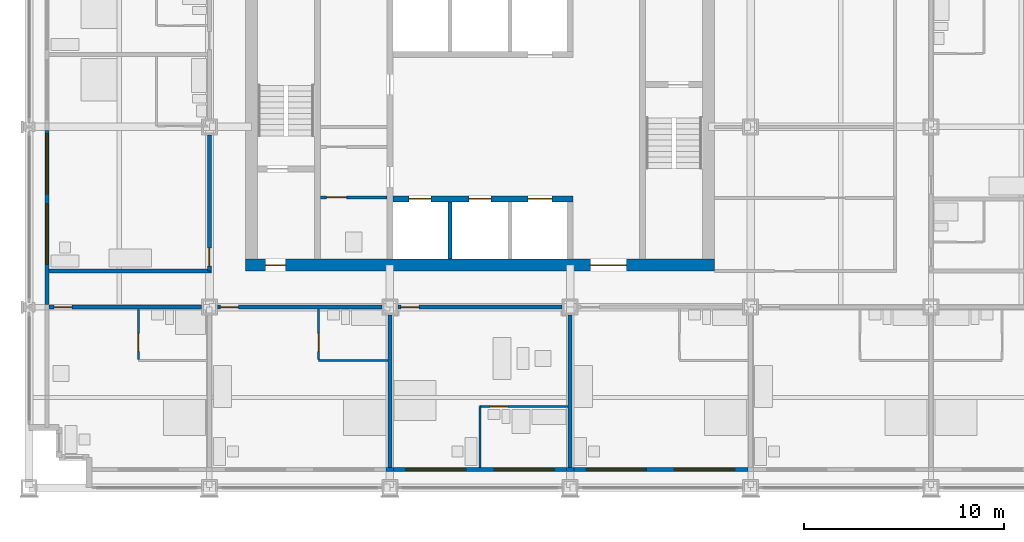
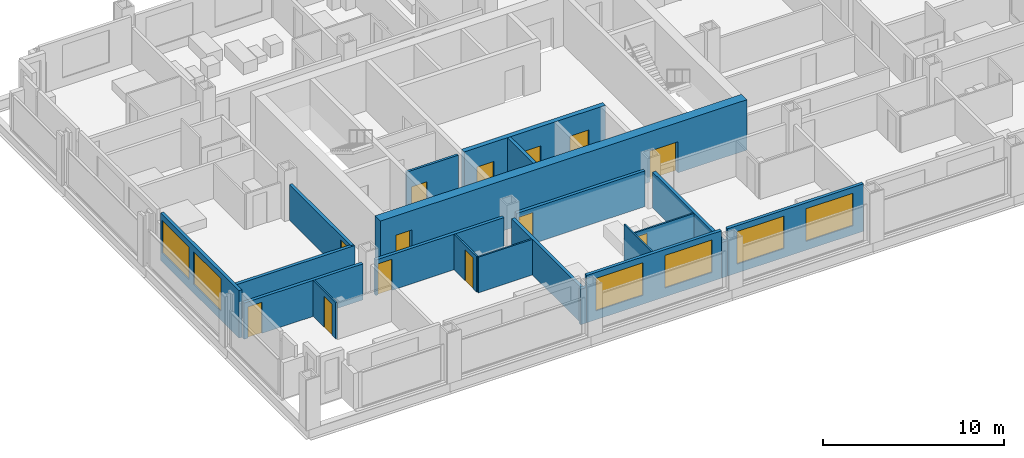
# One storey, part 10 of 18: 21 walls, 13 doors, 6 windows, 19 openings.
"""IFC4 building model written with IfcOpenShell, lengths in metres."""

from ifc_helpers import new_model, si_unit, direction, frame, frame_2d, origin, place, context, subcontext, project, spatial, rectangle, extrude, material, layer, layer_set, type_object, element, fill, save


model = new_model("IFC4")

# Units and contexts
model_context = context("Model", 3, precision=1e-05, world=origin(), true_north=direction((0.0, 1.0)))
body_context = subcontext(model_context, "Body", "Model", "MODEL_VIEW")
ifc_project = project(units=[si_unit("LENGTHUNIT", "METRE"), si_unit("AREAUNIT", "SQUARE_METRE"), si_unit("VOLUMEUNIT", "CUBIC_METRE"), si_unit("PLANEANGLEUNIT", "RADIAN"), si_unit("MASSUNIT", "GRAM", prefix="KILO")], contexts=[model_context])

# Site, building, storey
site_placement = place(None, origin())
site = spatial("IfcSite", under=ifc_project, at=site_placement, CompositionType="ELEMENT")
building_placement = place(site_placement, origin())
building = spatial("IfcBuilding", under=site, at=building_placement, Name="Loomwork Tower", CompositionType="ELEMENT")
storey_placement = place(building_placement, frame((0.0, 0.0, 48.39990234375)))
storey = spatial("IfcBuildingStorey", under=building, at=storey_placement, Name="L11", CompositionType="ELEMENT", Elevation=48.39990234375)

# Wall, openings, doors
ifc_material_1 = material(Name="Concrete 14000 psi (97 MPa)", Category="concrete")
ifc_layer_1 = layer(ifc_material_1, 0.300048828125)
ifc_layer_set_1 = layer_set([ifc_layer_1], Name="Core shear wall 300")
wall_type_1 = type_object("IfcWallType", Name="Core shear wall 300", PredefinedType="SHEAR", material=ifc_layer_set_1)
wall_1_placement = place(storey_placement, frame((18.14990234375, 14.39990234375, 0.0), z_axis=(0.0, 0.0, 1.0), x_axis=(1.0, 0.0, 0.0)))
wall_1 = element("IfcWall", 1, at=wall_1_placement, inside=storey, type_object=wall_type_1, Name="Lift front wall south L11", PredefinedType="SHEAR", context=body_context, shape_type="SweptSolid", body=[
    extrude(rectangle(XDim=9.0, YDim=0.300048828125, at=frame_2d((4.5, 0.0))), origin(), (0.0, 0.0, 1.0), 3.400146484375),
])
opening_1_placement = place(wall_1_placement, frame((0.800048828125, 0.0, 0.0)))
opening_1 = element("IfcOpeningElement", 2, at=opening_1_placement, cuts=wall_1, Name="Opening LD1", PredefinedType="OPENING", context=body_context, shape_type="SweptSolid", body=[
    extrude(rectangle(XDim=1.10009765625, YDim=2.10009765625, at=frame_2d((0.550048828125, 1.050048828125))), frame((0.0, 0.159912109375, 0.0), z_axis=(0.0, -1.0, 0.0), x_axis=(1.0, 0.0, 0.0)), (0.0, 0.0, 1.0), 0.320068359375),
])
opening_2_placement = place(wall_1_placement, frame((3.800048828125, 0.0, 0.0)))
opening_2 = element("IfcOpeningElement", 3, at=opening_2_placement, cuts=wall_1, Name="Opening LD1", PredefinedType="OPENING", context=body_context, shape_type="SweptSolid", body=[
    extrude(rectangle(XDim=1.10009765625, YDim=2.10009765625, at=frame_2d((0.550048828125, 1.050048828125))), frame((0.0, 0.159912109375, 0.0), z_axis=(0.0, -1.0, 0.0), x_axis=(1.0, 0.0, 0.0)), (0.0, 0.0, 1.0), 0.320068359375),
])
opening_3_placement = place(wall_1_placement, frame((6.75, 0.0, 0.0)))
opening_3 = element("IfcOpeningElement", 4, at=opening_3_placement, cuts=wall_1, Name="Opening LD2", PredefinedType="OPENING", context=body_context, shape_type="SweptSolid", body=[
    extrude(rectangle(XDim=1.199951171875, YDim=2.10009765625, at=frame_2d((0.60009765625, 1.050048828125))), frame((0.0, 0.159912109375, 0.0), z_axis=(0.0, -1.0, 0.0), x_axis=(1.0, 0.0, 0.0)), (0.0, 0.0, 1.0), 0.320068359375),
])
ifc_material_2 = material(Name="Hollow metal door and frame")
door_type_1 = type_object("IfcDoorType", Name="Lift landing door 1100", OperationType="SLIDING_TO_LEFT", PredefinedType="DOOR", material=ifc_material_2)
door_1_placement = place(opening_1_placement, origin())
door_1 = element("IfcDoor", 5, at=door_1_placement, inside=storey, type_object=door_type_1, Name="Lift landing door LA1", OperationType="SLIDING_TO_LEFT", OverallHeight=2.10009765625, OverallWidth=1.10009765625, PredefinedType="DOOR", context=body_context, shape_type="SweptSolid", body=[
    extrude(rectangle(XDim=1.10009765625, YDim=2.10009765625, at=frame_2d((0.550048828125, 1.050048828125))), frame((0.0, 0.02490234375, 0.0), z_axis=(0.0, -1.0, 0.0), x_axis=(1.0, 0.0, 0.0)), (0.0, 0.0, 1.0), 0.050048828125),
])
fill(opening_1, door_1)
door_2_placement = place(opening_2_placement, origin())
door_2 = element("IfcDoor", 6, at=door_2_placement, inside=storey, type_object=door_type_1, Name="Lift landing door LA2", OperationType="SLIDING_TO_LEFT", OverallHeight=2.10009765625, OverallWidth=1.10009765625, PredefinedType="DOOR", context=body_context, shape_type="SweptSolid", body=[
    extrude(rectangle(XDim=1.10009765625, YDim=2.10009765625, at=frame_2d((0.550048828125, 1.050048828125))), frame((0.0, 0.02490234375, 0.0), z_axis=(0.0, -1.0, 0.0), x_axis=(1.0, 0.0, 0.0)), (0.0, 0.0, 1.0), 0.050048828125),
])
fill(opening_2, door_2)
ifc_material_3 = material(Name="Hollow metal door and frame")
door_type_2 = type_object("IfcDoorType", Name="Lift landing door 1200", OperationType="SLIDING_TO_LEFT", PredefinedType="DOOR", material=ifc_material_3)
door_3_placement = place(opening_3_placement, origin())
door_3 = element("IfcDoor", 7, at=door_3_placement, inside=storey, type_object=door_type_2, Name="Lift landing door LF1", OperationType="SLIDING_TO_LEFT", OverallHeight=2.10009765625, OverallWidth=1.199951171875, PredefinedType="DOOR", context=body_context, shape_type="SweptSolid", body=[
    extrude(rectangle(XDim=1.199951171875, YDim=2.10009765625, at=frame_2d((0.60009765625, 1.050048828125))), frame((0.0, 0.02490234375, 0.0), z_axis=(0.0, -1.0, 0.0), x_axis=(1.0, 0.0, 0.0)), (0.0, 0.0, 1.0), 0.050048828125),
])
fill(opening_3, door_3)

ifc_material_4 = material(Name="Concrete 14000 psi (97 MPa)", Category="concrete")
ifc_layer_2 = layer(ifc_material_4, 0.60009765625)
ifc_layer_set_2 = layer_set([ifc_layer_2], Name="Core shear wall 600")
wall_type_2 = type_object("IfcWallType", Name="Core shear wall 600", PredefinedType="SHEAR", material=ifc_layer_set_2)
wall_2_placement = place(storey_placement, frame((10.800048828125, 11.10009765625, 0.0), z_axis=(0.0, 0.0, 1.0), x_axis=(1.0, 0.0, 0.0)))
wall_2 = element("IfcWall", 8, at=wall_2_placement, inside=storey, type_object=wall_type_2, Name="Core wall south L11", PredefinedType="SHEAR", context=body_context, shape_type="SweptSolid", body=[
    extrude(rectangle(XDim=23.39990234375, YDim=0.60009765625, at=frame_2d((11.699951171875, 0.0))), origin(), (0.0, 0.0, 1.0), 3.400146484375),
])
opening_4_placement = place(wall_2_placement, frame((1.0, 0.0, 0.0)))
opening_4 = element("IfcOpeningElement", 9, at=opening_4_placement, cuts=wall_2, Name="Opening D4", PredefinedType="OPENING", context=body_context, shape_type="SweptSolid", body=[
    extrude(rectangle(XDim=1.0, YDim=2.10009765625, at=frame_2d((0.5, 1.050048828125))), frame((0.0, 0.31005859375, 0.0), z_axis=(0.0, -1.0, 0.0), x_axis=(1.0, 0.0, 0.0)), (0.0, 0.0, 1.0), 0.6201171875),
])
opening_5_placement = place(wall_2_placement, frame((17.199951171875, 0.0, 0.0)))
opening_5 = element("IfcOpeningElement", 10, at=opening_5_placement, cuts=wall_2, Name="Opening D6", PredefinedType="OPENING", context=body_context, shape_type="SweptSolid", body=[
    extrude(rectangle(XDim=1.800048828125, YDim=2.10009765625, at=frame_2d((0.89990234375, 1.050048828125))), frame((0.0, 0.31005859375, 0.0), z_axis=(0.0, -1.0, 0.0), x_axis=(1.0, 0.0, 0.0)), (0.0, 0.0, 1.0), 0.6201171875),
])
ifc_material_5 = material(Name="Hollow metal door and frame")
door_type_3 = type_object("IfcDoorType", Name="Lobby passage double door 1800", OperationType="DOUBLE_DOOR_SINGLE_SWING", PredefinedType="DOOR", material=ifc_material_5)
door_4_placement = place(opening_5_placement, origin())
door_4 = element("IfcDoor", 11, at=door_4_placement, inside=storey, type_object=door_type_3, Name="Lobby passage door south", OperationType="DOUBLE_DOOR_SINGLE_SWING", OverallHeight=2.10009765625, OverallWidth=1.800048828125, PredefinedType="DOOR", context=body_context, shape_type="SweptSolid", body=[
    extrude(rectangle(XDim=1.800048828125, YDim=2.10009765625, at=frame_2d((0.89990234375, 1.050048828125))), frame((0.0, 0.02490234375, 0.0), z_axis=(0.0, -1.0, 0.0), x_axis=(1.0, 0.0, 0.0)), (0.0, 0.0, 1.0), 0.050048828125),
])
fill(opening_5, door_4)
ifc_material_6 = material(Name="Hollow metal door and frame")
door_type_4 = type_object("IfcDoorType", Name="Stair door 1000", OperationType="SINGLE_SWING_RIGHT", PredefinedType="DOOR", material=ifc_material_6)
door_5_placement = place(opening_4_placement, origin())
door_5 = element("IfcDoor", 12, at=door_5_placement, inside=storey, type_object=door_type_4, Name="Stair A vestibule door", OperationType="SINGLE_SWING_LEFT", OverallHeight=2.10009765625, OverallWidth=1.0, PredefinedType="DOOR", context=body_context, shape_type="SweptSolid", body=[
    extrude(rectangle(XDim=1.0, YDim=2.10009765625, at=frame_2d((0.5, 1.050048828125))), frame((0.0, 0.02490234375, 0.0), z_axis=(0.0, -1.0, 0.0), x_axis=(1.0, 0.0, 0.0)), (0.0, 0.0, 1.0), 0.050048828125),
])
fill(opening_4, door_5)

# Wall, opening, door
ifc_material_7 = material(Name="Gypsum board on steel studs, one-hour", Category="steel")
ifc_layer_3 = layer(ifc_material_7, 0.199951171875)
ifc_layer_set_3 = layer_set([ifc_layer_3], Name="Corridor wall 200")
wall_type_3 = type_object("IfcWallType", Name="Corridor wall 200", PredefinedType="PARTITIONING", material=ifc_layer_set_3)
wall_3_placement = place(storey_placement, frame((1.0, 9.0, 0.0), z_axis=(0.0, 0.0, 1.0), x_axis=(1.0, 0.0, 0.0)))
wall_3 = element("IfcWall", 13, at=wall_3_placement, inside=storey, type_object=wall_type_3, Name="South corridor wall 1", PredefinedType="PARTITIONING", context=body_context, shape_type="SweptSolid", body=[
    extrude(rectangle(XDim=7.60009765625, YDim=0.199951171875, at=frame_2d((3.800048828125, 0.0))), origin(), (0.0, 0.0, 1.0), 2.43798828125),
])
opening_6_placement = place(wall_3_placement, frame((0.25, 0.0, 0.0)))
opening_6 = element("IfcOpeningElement", 14, at=opening_6_placement, cuts=wall_3, Name="Opening D1", PredefinedType="OPENING", context=body_context, shape_type="SweptSolid", body=[
    extrude(rectangle(XDim=0.89990234375, YDim=2.10009765625, at=frame_2d((0.449951171875, 1.050048828125))), frame((0.0, 0.10986328125, 0.0), z_axis=(0.0, -1.0, 0.0), x_axis=(1.0, 0.0, 0.0)), (0.0, 0.0, 1.0), 0.219970703125),
])
ifc_material_8 = material(Name="Hollow metal door and frame")
door_type_5 = type_object("IfcDoorType", Name="Guest room entry door 900", OperationType="SINGLE_SWING_LEFT", PredefinedType="DOOR", material=ifc_material_8)
door_6_placement = place(opening_6_placement, frame((0.89990234375, 0.0, 0.0), z_axis=(0.0, 0.0, 1.0), x_axis=(-1.0, 0.0, 0.0)))
door_6 = element("IfcDoor", 15, at=door_6_placement, inside=storey, type_object=door_type_5, Name="Guest room entry door L11 1", OperationType="SINGLE_SWING_RIGHT", OverallHeight=2.10009765625, OverallWidth=0.89990234375, PredefinedType="DOOR", context=body_context, shape_type="SweptSolid", body=[
    extrude(rectangle(XDim=0.89990234375, YDim=2.10009765625, at=frame_2d((0.449951171875, 1.050048828125))), frame((0.0, 0.02490234375, 0.0), z_axis=(0.0, -1.0, 0.0), x_axis=(1.0, 0.0, 0.0)), (0.0, 0.0, 1.0), 0.050048828125),
])
fill(opening_6, door_6)

wall_4_placement = place(storey_placement, frame((9.39990234375, 9.0, 0.0), z_axis=(0.0, 0.0, 1.0), x_axis=(1.0, 0.0, 0.0)))
wall_4 = element("IfcWall", 16, at=wall_4_placement, inside=storey, type_object=wall_type_3, Name="South corridor wall 2", PredefinedType="PARTITIONING", context=body_context, shape_type="SweptSolid", body=[
    extrude(rectangle(XDim=8.2001953125, YDim=0.199951171875, at=frame_2d((4.10009765625, 0.0))), origin(), (0.0, 0.0, 1.0), 2.405029296875),
])
opening_7_placement = place(wall_4_placement, frame((0.14990234375, 0.0, 0.0)))
opening_7 = element("IfcOpeningElement", 17, at=opening_7_placement, cuts=wall_4, Name="Opening D1", PredefinedType="OPENING", context=body_context, shape_type="SweptSolid", body=[
    extrude(rectangle(XDim=0.89990234375, YDim=2.10009765625, at=frame_2d((0.449951171875, 1.050048828125))), frame((0.0, 0.10986328125, 0.0), z_axis=(0.0, -1.0, 0.0), x_axis=(1.0, 0.0, 0.0)), (0.0, 0.0, 1.0), 0.219970703125),
])
door_7_placement = place(opening_7_placement, frame((0.89990234375, 0.0, 0.0), z_axis=(0.0, 0.0, 1.0), x_axis=(-1.0, 0.0, 0.0)))
door_7 = element("IfcDoor", 18, at=door_7_placement, inside=storey, type_object=door_type_5, Name="Guest room entry door L11 2", OperationType="SINGLE_SWING_RIGHT", OverallHeight=2.10009765625, OverallWidth=0.89990234375, PredefinedType="DOOR", context=body_context, shape_type="SweptSolid", body=[
    extrude(rectangle(XDim=0.89990234375, YDim=2.10009765625, at=frame_2d((0.449951171875, 1.050048828125))), frame((0.0, 0.02490234375, 0.0), z_axis=(0.0, -1.0, 0.0), x_axis=(1.0, 0.0, 0.0)), (0.0, 0.0, 1.0), 0.050048828125),
])
fill(opening_7, door_7)

wall_5_placement = place(storey_placement, frame((18.39990234375, 9.0, 0.0), z_axis=(0.0, 0.0, 1.0), x_axis=(1.0, 0.0, 0.0)))
wall_5 = element("IfcWall", 19, at=wall_5_placement, inside=storey, type_object=wall_type_3, Name="South corridor wall 3", PredefinedType="PARTITIONING", context=body_context, shape_type="SweptSolid", body=[
    extrude(rectangle(XDim=8.2001953125, YDim=0.199951171875, at=frame_2d((4.10009765625, 0.0))), origin(), (0.0, 0.0, 1.0), 2.405029296875),
])
opening_8_placement = place(wall_5_placement, frame((0.14990234375, 0.0, 0.0)))
opening_8 = element("IfcOpeningElement", 20, at=opening_8_placement, cuts=wall_5, Name="Opening D1", PredefinedType="OPENING", context=body_context, shape_type="SweptSolid", body=[
    extrude(rectangle(XDim=0.89990234375, YDim=2.10009765625, at=frame_2d((0.449951171875, 1.050048828125))), frame((0.0, 0.10986328125, 0.0), z_axis=(0.0, -1.0, 0.0), x_axis=(1.0, 0.0, 0.0)), (0.0, 0.0, 1.0), 0.219970703125),
])
door_8_placement = place(opening_8_placement, frame((0.89990234375, 0.0, 0.0), z_axis=(0.0, 0.0, 1.0), x_axis=(-1.0, 0.0, 0.0)))
door_8 = element("IfcDoor", 21, at=door_8_placement, inside=storey, type_object=door_type_5, Name="Guest room entry door L11 3", OperationType="SINGLE_SWING_RIGHT", OverallHeight=2.10009765625, OverallWidth=0.89990234375, PredefinedType="DOOR", context=body_context, shape_type="SweptSolid", body=[
    extrude(rectangle(XDim=0.89990234375, YDim=2.10009765625, at=frame_2d((0.449951171875, 1.050048828125))), frame((0.0, 0.02490234375, 0.0), z_axis=(0.0, -1.0, 0.0), x_axis=(1.0, 0.0, 0.0)), (0.0, 0.0, 1.0), 0.050048828125),
])
fill(opening_8, door_8)

wall_6_placement = place(storey_placement, frame((9.0, 10.800048828125, 0.0), z_axis=(0.0, 0.0, 1.0), x_axis=(0.0, 1.0, 0.0)))
wall_6 = element("IfcWall", 22, at=wall_6_placement, inside=storey, type_object=wall_type_3, Name="West corridor wall 1", PredefinedType="PARTITIONING", context=body_context, shape_type="SweptSolid", body=[
    extrude(rectangle(XDim=6.800048828125, YDim=0.199951171875, at=frame_2d((3.39990234375, 0.0))), origin(), (0.0, 0.0, 1.0), 2.405029296875),
])
opening_9_placement = place(wall_6_placement, frame((0.25, 0.0, 0.0)))
opening_9 = element("IfcOpeningElement", 23, at=opening_9_placement, cuts=wall_6, Name="Opening D1", PredefinedType="OPENING", context=body_context, shape_type="SweptSolid", body=[
    extrude(rectangle(XDim=0.89990234375, YDim=2.10009765625, at=frame_2d((0.449951171875, 1.050048828125))), frame((0.0, 0.10986328125, 0.0), z_axis=(0.0, -1.0, 0.0), x_axis=(1.0, 0.0, 0.0)), (0.0, 0.0, 1.0), 0.219970703125),
])
door_9_placement = place(opening_9_placement, origin())
door_9 = element("IfcDoor", 24, at=door_9_placement, inside=storey, type_object=door_type_5, Name="Guest room entry door L11 14", OperationType="SINGLE_SWING_LEFT", OverallHeight=2.10009765625, OverallWidth=0.89990234375, PredefinedType="DOOR", context=body_context, shape_type="SweptSolid", body=[
    extrude(rectangle(XDim=0.89990234375, YDim=2.10009765625, at=frame_2d((0.449951171875, 1.050048828125))), frame((0.0, 0.02490234375, 0.0), z_axis=(0.0, -1.0, 0.0), x_axis=(1.0, 0.0, 0.0)), (0.0, 0.0, 1.0), 0.050048828125),
])
fill(opening_9, door_9)

# Wall
wall_7_placement = place(storey_placement, frame((1.0, 10.800048828125, 0.0), z_axis=(0.0, 0.0, 1.0), x_axis=(1.0, 0.0, 0.0)))
element("IfcWall", 25, at=wall_7_placement, inside=storey, type_object=wall_type_3, Name="West band end wall S", PredefinedType="PARTITIONING", context=body_context, shape_type="SweptSolid", body=[
    extrude(rectangle(XDim=8.10009765625, YDim=0.199951171875, at=frame_2d((4.050048828125, 0.0))), origin(), (0.0, 0.0, 1.0), 2.404052734375),
])

# Wall, opening, door
ifc_material_9 = material(Name="Cement board on steel studs", Category="steel")
ifc_layer_4 = layer(ifc_material_9, 0.10009765625)
ifc_layer_set_4 = layer_set([ifc_layer_4], Name="En-suite partition 100")
wall_type_4 = type_object("IfcWallType", Name="En-suite partition 100", PredefinedType="PARTITIONING", material=ifc_layer_set_4)
wall_8_placement = place(storey_placement, frame((5.449951171875, 8.89990234375, 0.0), z_axis=(0.0, 0.0, 1.0), x_axis=(0.0, -1.0, 0.0)))
wall_8 = element("IfcWall", 26, at=wall_8_placement, inside=storey, type_object=wall_type_4, Name="En-suite side wall L11 room 1", PredefinedType="PARTITIONING", context=body_context, shape_type="SweptSolid", body=[
    extrude(rectangle(XDim=2.5, YDim=0.10009765625, at=frame_2d((1.25, 0.0))), origin(), (0.0, 0.0, 1.0), 2.43798828125),
])
opening_10_placement = place(wall_8_placement, frame((1.199951171875, 0.0, 0.0)))
opening_10 = element("IfcOpeningElement", 27, at=opening_10_placement, cuts=wall_8, Name="Opening D3", PredefinedType="OPENING", context=body_context, shape_type="SweptSolid", body=[
    extrude(rectangle(XDim=0.89990234375, YDim=2.10009765625, at=frame_2d((0.449951171875, 1.050048828125))), frame((0.0, 0.06005859375, 0.0), z_axis=(0.0, -1.0, 0.0), x_axis=(1.0, 0.0, 0.0)), (0.0, 0.0, 1.0), 0.1201171875),
])
ifc_material_10 = material(Name="Hollow metal door and frame")
door_type_6 = type_object("IfcDoorType", Name="Accessible en-suite door 900", OperationType="SLIDING_TO_LEFT", PredefinedType="DOOR", material=ifc_material_10)
door_10_placement = place(opening_10_placement, origin())
door_10 = element("IfcDoor", 28, at=door_10_placement, inside=storey, type_object=door_type_6, Name="Accessible en-suite door room 1", OperationType="SLIDING_TO_LEFT", OverallHeight=2.10009765625, OverallWidth=0.89990234375, PredefinedType="DOOR", context=body_context, shape_type="SweptSolid", body=[
    extrude(rectangle(XDim=0.89990234375, YDim=2.10009765625, at=frame_2d((0.449951171875, 1.050048828125))), frame((0.0, 0.02490234375, 0.0), z_axis=(0.0, -1.0, 0.0), x_axis=(1.0, 0.0, 0.0)), (0.0, 0.0, 1.0), 0.050048828125),
])
fill(opening_10, door_10)

# Wall
wall_9_placement = place(storey_placement, frame((14.449951171875, 6.35009765625, 0.0), z_axis=(0.0, 0.0, 1.0), x_axis=(1.0, 0.0, 0.0)))
element("IfcWall", 29, at=wall_9_placement, inside=storey, type_object=wall_type_4, Name="En-suite wall L11 room 2", PredefinedType="PARTITIONING", context=body_context, shape_type="SweptSolid", body=[
    extrude(rectangle(XDim=3.449951171875, YDim=0.10009765625, at=frame_2d((1.72509765625, 0.0))), origin(), (0.0, 0.0, 1.0), 2.404052734375),
])

# Wall, opening, door
wall_10_placement = place(storey_placement, frame((14.449951171875, 8.89990234375, 0.0), z_axis=(0.0, 0.0, 1.0), x_axis=(0.0, -1.0, 0.0)))
wall_10 = element("IfcWall", 30, at=wall_10_placement, inside=storey, type_object=wall_type_4, Name="En-suite side wall L11 room 2", PredefinedType="PARTITIONING", context=body_context, shape_type="SweptSolid", body=[
    extrude(rectangle(XDim=2.5, YDim=0.10009765625, at=frame_2d((1.25, 0.0))), origin(), (0.0, 0.0, 1.0), 2.404052734375),
])
opening_11_placement = place(wall_10_placement, frame((1.199951171875, 0.0, 0.0)))
opening_11 = element("IfcOpeningElement", 31, at=opening_11_placement, cuts=wall_10, Name="Opening D2", PredefinedType="OPENING", context=body_context, shape_type="SweptSolid", body=[
    extrude(rectangle(XDim=0.89990234375, YDim=2.10009765625, at=frame_2d((0.449951171875, 1.050048828125))), frame((0.0, 0.06005859375, 0.0), z_axis=(0.0, -1.0, 0.0), x_axis=(1.0, 0.0, 0.0)), (0.0, 0.0, 1.0), 0.1201171875),
])
ifc_material_11 = material(Name="Hollow metal door and frame")
door_type_7 = type_object("IfcDoorType", Name="En-suite door 900", OperationType="SINGLE_SWING_LEFT", PredefinedType="DOOR", material=ifc_material_11)
door_11_placement = place(opening_11_placement, origin())
door_11 = element("IfcDoor", 32, at=door_11_placement, inside=storey, type_object=door_type_7, Name="En-suite door room 2", OperationType="SINGLE_SWING_RIGHT", OverallHeight=2.10009765625, OverallWidth=0.89990234375, PredefinedType="DOOR", context=body_context, shape_type="SweptSolid", body=[
    extrude(rectangle(XDim=0.89990234375, YDim=2.10009765625, at=frame_2d((0.449951171875, 1.050048828125))), frame((0.0, 0.02490234375, 0.0), z_axis=(0.0, -1.0, 0.0), x_axis=(1.0, 0.0, 0.0)), (0.0, 0.0, 1.0), 0.050048828125),
])
fill(opening_11, door_11)

wall_11_placement = place(storey_placement, frame((22.5, 4.050048828125, 0.0), z_axis=(0.0, 0.0, 1.0), x_axis=(1.0, 0.0, 0.0)))
wall_11 = element("IfcWall", 33, at=wall_11_placement, inside=storey, type_object=wall_type_4, Name="Spa bathroom wall L11 room 3", PredefinedType="PARTITIONING", context=body_context, shape_type="SweptSolid", body=[
    extrude(rectangle(XDim=4.39990234375, YDim=0.10009765625, at=frame_2d((2.199951171875, 0.0))), origin(), (0.0, 0.0, 1.0), 2.404052734375),
])
opening_12_placement = place(wall_11_placement, frame((0.5, 0.0, 0.0)))
opening_12 = element("IfcOpeningElement", 34, at=opening_12_placement, cuts=wall_11, Name="Opening D2", PredefinedType="OPENING", context=body_context, shape_type="SweptSolid", body=[
    extrude(rectangle(XDim=0.89990234375, YDim=2.10009765625, at=frame_2d((0.449951171875, 1.050048828125))), frame((0.0, 0.06005859375, 0.0), z_axis=(0.0, -1.0, 0.0), x_axis=(1.0, 0.0, 0.0)), (0.0, 0.0, 1.0), 0.1201171875),
])
door_12_placement = place(opening_12_placement, frame((0.89990234375, 0.0, 0.0), z_axis=(0.0, 0.0, 1.0), x_axis=(-1.0, 0.0, 0.0)))
door_12 = element("IfcDoor", 35, at=door_12_placement, inside=storey, type_object=door_type_7, Name="Spa bathroom door room 3", OperationType="SINGLE_SWING_RIGHT", OverallHeight=2.10009765625, OverallWidth=0.89990234375, PredefinedType="DOOR", context=body_context, shape_type="SweptSolid", body=[
    extrude(rectangle(XDim=0.89990234375, YDim=2.10009765625, at=frame_2d((0.449951171875, 1.050048828125))), frame((0.0, 0.02490234375, 0.0), z_axis=(0.0, -1.0, 0.0), x_axis=(1.0, 0.0, 0.0)), (0.0, 0.0, 1.0), 0.050048828125),
])
fill(opening_12, door_12)

# Walls
wall_12_placement = place(storey_placement, frame((22.5, 4.050048828125, 0.0), z_axis=(0.0, 0.0, 1.0), x_axis=(0.0, -1.0, 0.0)))
element("IfcWall", 36, at=wall_12_placement, inside=storey, type_object=wall_type_4, Name="Spa bathroom side wall L11 room 3", PredefinedType="PARTITIONING", context=body_context, shape_type="SweptSolid", body=[
    extrude(rectangle(XDim=3.050048828125, YDim=0.10009765625, at=frame_2d((1.52490234375, 0.0))), origin(), (0.0, 0.0, 1.0), 3.2001953125),
])
ifc_material_12 = material(Name="Gypsum board on steel studs, acoustic", Category="steel")
ifc_layer_5 = layer(ifc_material_12, 0.199951171875)
ifc_layer_set_5 = layer_set([ifc_layer_5], Name="Guest room party wall 200")
wall_type_5 = type_object("IfcWallType", Name="Guest room party wall 200", PredefinedType="PARTITIONING", material=ifc_layer_set_5)
for number, where, z_axis, x_axis, name in (
    (37, (18.0, 8.60009765625, 0.0), (0.0, 0.0, 1.0), (0.0, -1.0, 0.0), "Guest room party wall S 18"),
    (38, (27.0, 8.60009765625, 0.0), (0.0, 0.0, 1.0), (0.0, -1.0, 0.0), "Guest room party wall S 27"),
):
    element("IfcWall", number, at=place(storey_placement, frame(where, z_axis=z_axis, x_axis=x_axis)), inside=storey, type_object=wall_type_5, Name=name, PredefinedType="PARTITIONING", context=body_context, shape_type="SweptSolid", body=[
        extrude(rectangle(XDim=7.60009765625, YDim=0.199951171875, at=frame_2d((3.800048828125, 0.0))), origin(), (0.0, 0.0, 1.0), 2.405029296875),
    ])
ifc_material_13 = material(Name="Insulated steel stud wall with gypsum lining", Category="steel")
ifc_layer_6 = layer(ifc_material_13, 0.199951171875)
ifc_layer_set_6 = layer_set([ifc_layer_6], Name="Inner skin wall 200")
wall_type_6 = type_object("IfcWallType", Name="Inner skin wall 200", PredefinedType="SOLIDWALL", material=ifc_layer_set_6)
wall_13_placement = place(storey_placement, frame((17.80615234375, 0.89990234375, 0.0), z_axis=(0.0, 0.0, 1.0), x_axis=(1.0, 0.0, 0.0)))
element("IfcWall", 39, at=wall_13_placement, inside=storey, type_object=wall_type_6, Name="Inner skin wall S bay 4", PredefinedType="SOLIDWALL", context=body_context, shape_type="SweptSolid", body=[
    extrude(rectangle(XDim=0.3876953125, YDim=0.199951171875, at=frame_2d((0.19384765625, 0.0))), origin(), (0.0, 0.0, 1.0), 2.404052734375),
])

# Wall, openings, windows
wall_14_placement = place(storey_placement, frame((18.19384765625, 0.89990234375, 0.0), z_axis=(0.0, 0.0, 1.0), x_axis=(1.0, 0.0, 0.0)))
wall_14 = element("IfcWall", 40, at=wall_14_placement, inside=storey, type_object=wall_type_6, Name="Inner skin wall S bay 5", PredefinedType="SOLIDWALL", context=body_context, shape_type="SweptSolid", body=[
    extrude(rectangle(XDim=8.6123046875, YDim=0.199951171875, at=frame_2d((4.30615234375, 0.0))), origin(), (0.0, 0.0, 1.0), 3.2001953125),
])
opening_13_placement = place(wall_14_placement, frame((0.606201171875, 0.0, 0.60009765625)))
opening_13 = element("IfcOpeningElement", 41, at=opening_13_placement, cuts=wall_14, Name="Opening CH1", PredefinedType="OPENING", context=body_context, shape_type="SweptSolid", body=[
    extrude(rectangle(XDim=3.0, YDim=2.199951171875, at=frame_2d((1.5, 1.10009765625))), frame((0.0, 0.10986328125, 0.0), z_axis=(0.0, -1.0, 0.0), x_axis=(1.0, 0.0, 0.0)), (0.0, 0.0, 1.0), 0.219970703125),
])
opening_14_placement = place(wall_14_placement, frame((5.006103515625, 0.0, 0.60009765625)))
opening_14 = element("IfcOpeningElement", 42, at=opening_14_placement, cuts=wall_14, Name="Opening CH1", PredefinedType="OPENING", context=body_context, shape_type="SweptSolid", body=[
    extrude(rectangle(XDim=3.0, YDim=2.199951171875, at=frame_2d((1.5, 1.10009765625))), frame((0.0, 0.10986328125, 0.0), z_axis=(0.0, -1.0, 0.0), x_axis=(1.0, 0.0, 0.0)), (0.0, 0.0, 1.0), 0.219970703125),
])
ifc_material_14 = material(Name="Aluminium frame with clear insulated glass", Category="aluminium")
window_type = type_object("IfcWindowType", Name="Chicago window 3000", PartitioningType="TRIPLE_PANEL_VERTICAL", PredefinedType="WINDOW", material=ifc_material_14)
window_1_placement = place(opening_13_placement, origin())
window_1 = element("IfcWindow", 43, at=window_1_placement, inside=storey, type_object=window_type, Name="Chicago window L11 bay 3", OverallHeight=2.199951171875, OverallWidth=3.0, PartitioningType="TRIPLE_PANEL_VERTICAL", PredefinedType="WINDOW", context=body_context, shape_type="SweptSolid", body=[
    extrude(rectangle(XDim=3.0, YDim=2.199951171875, at=frame_2d((1.5, 1.10009765625))), frame((0.0, 0.030029296875, 0.0), z_axis=(0.0, -1.0, 0.0), x_axis=(1.0, 0.0, 0.0)), (0.0, 0.0, 1.0), 0.06005859375),
])
fill(opening_13, window_1)
window_2_placement = place(opening_14_placement, origin())
window_2 = element("IfcWindow", 44, at=window_2_placement, inside=storey, type_object=window_type, Name="Chicago window L11 bay 3", OverallHeight=2.199951171875, OverallWidth=3.0, PartitioningType="TRIPLE_PANEL_VERTICAL", PredefinedType="WINDOW", context=body_context, shape_type="SweptSolid", body=[
    extrude(rectangle(XDim=3.0, YDim=2.199951171875, at=frame_2d((1.5, 1.10009765625))), frame((0.0, 0.030029296875, 0.0), z_axis=(0.0, -1.0, 0.0), x_axis=(1.0, 0.0, 0.0)), (0.0, 0.0, 1.0), 0.06005859375),
])
fill(opening_14, window_2)

# Wall
wall_15_placement = place(storey_placement, frame((26.80615234375, 0.89990234375, 0.0), z_axis=(0.0, 0.0, 1.0), x_axis=(1.0, 0.0, 0.0)))
element("IfcWall", 45, at=wall_15_placement, inside=storey, type_object=wall_type_6, Name="Inner skin wall S bay 6", PredefinedType="SOLIDWALL", context=body_context, shape_type="SweptSolid", body=[
    extrude(rectangle(XDim=0.3876953125, YDim=0.199951171875, at=frame_2d((0.19384765625, 0.0))), origin(), (0.0, 0.0, 1.0), 2.404052734375),
])

# Wall, openings, windows
wall_16_placement = place(storey_placement, frame((27.19384765625, 0.89990234375, 0.0), z_axis=(0.0, 0.0, 1.0), x_axis=(1.0, 0.0, 0.0)))
wall_16 = element("IfcWall", 46, at=wall_16_placement, inside=storey, type_object=wall_type_6, Name="Inner skin wall S bay 7", PredefinedType="SOLIDWALL", context=body_context, shape_type="SweptSolid", body=[
    extrude(rectangle(XDim=8.670654296875, YDim=0.199951171875, at=frame_2d((4.33544921875, 0.0))), origin(), (0.0, 0.0, 1.0), 3.2001953125),
])
opening_15_placement = place(wall_16_placement, frame((0.606201171875, 0.0, 0.60009765625)))
opening_15 = element("IfcOpeningElement", 47, at=opening_15_placement, cuts=wall_16, Name="Opening CH1", PredefinedType="OPENING", context=body_context, shape_type="SweptSolid", body=[
    extrude(rectangle(XDim=3.0, YDim=2.199951171875, at=frame_2d((1.5, 1.10009765625))), frame((0.0, 0.10986328125, 0.0), z_axis=(0.0, -1.0, 0.0), x_axis=(1.0, 0.0, 0.0)), (0.0, 0.0, 1.0), 0.219970703125),
])
opening_16_placement = place(wall_16_placement, frame((5.006103515625, 0.0, 0.60009765625)))
opening_16 = element("IfcOpeningElement", 48, at=opening_16_placement, cuts=wall_16, Name="Opening CH1", PredefinedType="OPENING", context=body_context, shape_type="SweptSolid", body=[
    extrude(rectangle(XDim=3.0, YDim=2.199951171875, at=frame_2d((1.5, 1.10009765625))), frame((0.0, 0.10986328125, 0.0), z_axis=(0.0, -1.0, 0.0), x_axis=(1.0, 0.0, 0.0)), (0.0, 0.0, 1.0), 0.219970703125),
])
window_3_placement = place(opening_15_placement, origin())
window_3 = element("IfcWindow", 49, at=window_3_placement, inside=storey, type_object=window_type, Name="Chicago window L11 bay 4", OverallHeight=2.199951171875, OverallWidth=3.0, PartitioningType="TRIPLE_PANEL_VERTICAL", PredefinedType="WINDOW", context=body_context, shape_type="SweptSolid", body=[
    extrude(rectangle(XDim=3.0, YDim=2.199951171875, at=frame_2d((1.5, 1.10009765625))), frame((0.0, 0.030029296875, 0.0), z_axis=(0.0, -1.0, 0.0), x_axis=(1.0, 0.0, 0.0)), (0.0, 0.0, 1.0), 0.06005859375),
])
fill(opening_15, window_3)
window_4_placement = place(opening_16_placement, origin())
window_4 = element("IfcWindow", 50, at=window_4_placement, inside=storey, type_object=window_type, Name="Chicago window L11 bay 4", OverallHeight=2.199951171875, OverallWidth=3.0, PartitioningType="TRIPLE_PANEL_VERTICAL", PredefinedType="WINDOW", context=body_context, shape_type="SweptSolid", body=[
    extrude(rectangle(XDim=3.0, YDim=2.199951171875, at=frame_2d((1.5, 1.10009765625))), frame((0.0, 0.030029296875, 0.0), z_axis=(0.0, -1.0, 0.0), x_axis=(1.0, 0.0, 0.0)), (0.0, 0.0, 1.0), 0.06005859375),
])
fill(opening_16, window_4)

wall_17_placement = place(storey_placement, frame((0.89990234375, 9.13525390625, 0.0), z_axis=(0.0, 0.0, 1.0), x_axis=(0.0, 1.0, 0.0)))
wall_17 = element("IfcWall", 51, at=wall_17_placement, inside=storey, type_object=wall_type_6, Name="Inner skin wall W bay 5", PredefinedType="SOLIDWALL", context=body_context, shape_type="SweptSolid", body=[
    extrude(rectangle(XDim=8.6708984375, YDim=0.199951171875, at=frame_2d((4.33544921875, 0.0))), origin(), (0.0, 0.0, 1.0), 3.2001953125),
])
opening_17_placement = place(wall_17_placement, frame((2.0146484375, 0.0, 0.60009765625)))
opening_17 = element("IfcOpeningElement", 52, at=opening_17_placement, cuts=wall_17, Name="Opening CH1", PredefinedType="OPENING", context=body_context, shape_type="SweptSolid", body=[
    extrude(rectangle(XDim=3.0, YDim=2.199951171875, at=frame_2d((1.5, 1.10009765625))), frame((0.0, 0.10986328125, 0.0), z_axis=(0.0, -1.0, 0.0), x_axis=(1.0, 0.0, 0.0)), (0.0, 0.0, 1.0), 0.219970703125),
])
opening_18_placement = place(wall_17_placement, frame((5.5146484375, 0.0, 0.60009765625)))
opening_18 = element("IfcOpeningElement", 53, at=opening_18_placement, cuts=wall_17, Name="Opening CH1", PredefinedType="OPENING", context=body_context, shape_type="SweptSolid", body=[
    extrude(rectangle(XDim=3.0, YDim=2.199951171875, at=frame_2d((1.5, 1.10009765625))), frame((0.0, 0.10986328125, 0.0), z_axis=(0.0, -1.0, 0.0), x_axis=(1.0, 0.0, 0.0)), (0.0, 0.0, 1.0), 0.219970703125),
])
window_5_placement = place(opening_17_placement, origin())
window_5 = element("IfcWindow", 54, at=window_5_placement, inside=storey, type_object=window_type, Name="Chicago window L11 bay 13", OverallHeight=2.199951171875, OverallWidth=3.0, PartitioningType="TRIPLE_PANEL_VERTICAL", PredefinedType="WINDOW", context=body_context, shape_type="SweptSolid", body=[
    extrude(rectangle(XDim=3.0, YDim=2.199951171875, at=frame_2d((1.5, 1.10009765625))), frame((0.0, 0.030029296875, 0.0), z_axis=(0.0, -1.0, 0.0), x_axis=(1.0, 0.0, 0.0)), (0.0, 0.0, 1.0), 0.06005859375),
])
fill(opening_17, window_5)
window_6_placement = place(opening_18_placement, origin())
window_6 = element("IfcWindow", 55, at=window_6_placement, inside=storey, type_object=window_type, Name="Chicago window L11 bay 13", OverallHeight=2.199951171875, OverallWidth=3.0, PartitioningType="TRIPLE_PANEL_VERTICAL", PredefinedType="WINDOW", context=body_context, shape_type="SweptSolid", body=[
    extrude(rectangle(XDim=3.0, YDim=2.199951171875, at=frame_2d((1.5, 1.10009765625))), frame((0.0, 0.030029296875, 0.0), z_axis=(0.0, -1.0, 0.0), x_axis=(1.0, 0.0, 0.0)), (0.0, 0.0, 1.0), 0.06005859375),
])
fill(opening_18, window_6)

# Wall
ifc_material_15 = material(Name="Concrete 14000 psi (97 MPa)", Category="concrete")
ifc_layer_7 = layer(ifc_material_15, 0.199951171875)
ifc_layer_set_7 = layer_set([ifc_layer_7], Name="Lift shaft wall 200")
wall_type_7 = type_object("IfcWallType", Name="Lift shaft wall 200", PredefinedType="SHEAR", material=ifc_layer_set_7)
wall_18_placement = place(storey_placement, frame((21.0, 11.39990234375, 0.0), z_axis=(0.0, 0.0, 1.0), x_axis=(0.0, 1.0, 0.0)))
element("IfcWall", 56, at=wall_18_placement, inside=storey, type_object=wall_type_7, Name="Lift shaft separation wall south 1 L11", PredefinedType="SHEAR", context=body_context, shape_type="SweptSolid", body=[
    extrude(rectangle(XDim=2.85009765625, YDim=0.199951171875, at=frame_2d((1.425048828125, 0.0))), origin(), (0.0, 0.0, 1.0), 3.400146484375),
])

# Wall, opening, door
ifc_material_16 = material(Name="Gypsum board on steel studs, one-hour", Category="steel")
ifc_layer_8 = layer(ifc_material_16, 0.14990234375)
ifc_layer_set_8 = layer_set([ifc_layer_8], Name="Service partition 150")
wall_type_8 = type_object("IfcWallType", Name="Service partition 150", PredefinedType="PARTITIONING", material=ifc_layer_set_8)
wall_19_placement = place(storey_placement, frame((14.550048828125, 14.47509765625, 0.0), z_axis=(0.0, 0.0, 1.0), x_axis=(1.0, 0.0, 0.0)))
wall_19 = element("IfcWall", 57, at=wall_19_placement, inside=storey, type_object=wall_type_8, Name="Back-of-house partition L11", PredefinedType="PARTITIONING", context=body_context, shape_type="SweptSolid", body=[
    extrude(rectangle(XDim=3.300048828125, YDim=0.14990234375, at=frame_2d((1.64990234375, 0.0))), origin(), (0.0, 0.0, 1.0), 3.2001953125),
])
opening_19_placement = place(wall_19_placement, frame((0.300048828125, 0.0, 0.0)))
opening_19 = element("IfcOpeningElement", 58, at=opening_19_placement, cuts=wall_19, Name="Opening D5", PredefinedType="OPENING", context=body_context, shape_type="SweptSolid", body=[
    extrude(rectangle(XDim=1.0, YDim=2.10009765625, at=frame_2d((0.5, 1.050048828125))), frame((0.0, 0.0849609375, 0.0), z_axis=(0.0, -1.0, 0.0), x_axis=(1.0, 0.0, 0.0)), (0.0, 0.0, 1.0), 0.169921875),
])
ifc_material_17 = material(Name="Hollow metal door and frame")
door_type_8 = type_object("IfcDoorType", Name="Service door 1000", OperationType="SINGLE_SWING_LEFT", PredefinedType="DOOR", material=ifc_material_17)
door_13_placement = place(opening_19_placement, origin())
door_13 = element("IfcDoor", 59, at=door_13_placement, inside=storey, type_object=door_type_8, Name="Back-of-house room door", OperationType="SINGLE_SWING_LEFT", OverallHeight=2.10009765625, OverallWidth=1.0, PredefinedType="DOOR", context=body_context, shape_type="SweptSolid", body=[
    extrude(rectangle(XDim=1.0, YDim=2.10009765625, at=frame_2d((0.5, 1.050048828125))), frame((0.0, 0.02490234375, 0.0), z_axis=(0.0, -1.0, 0.0), x_axis=(1.0, 0.0, 0.0)), (0.0, 0.0, 1.0), 0.050048828125),
])
fill(opening_19, door_13)

save(model, "model.ifc")
